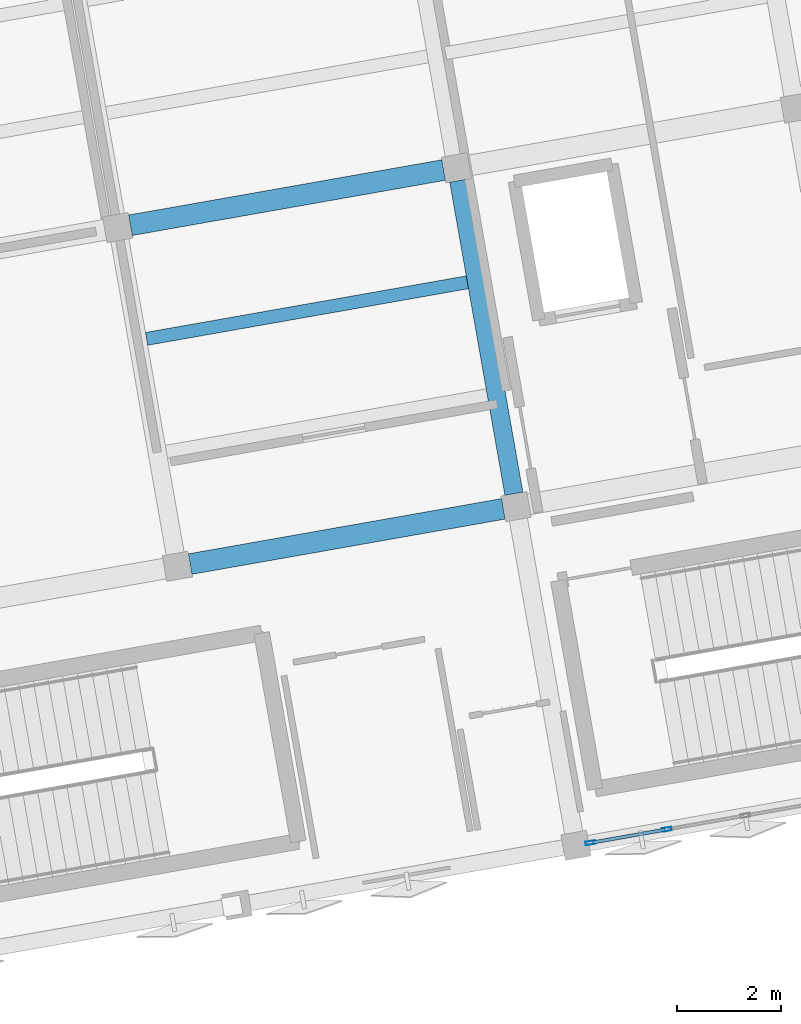
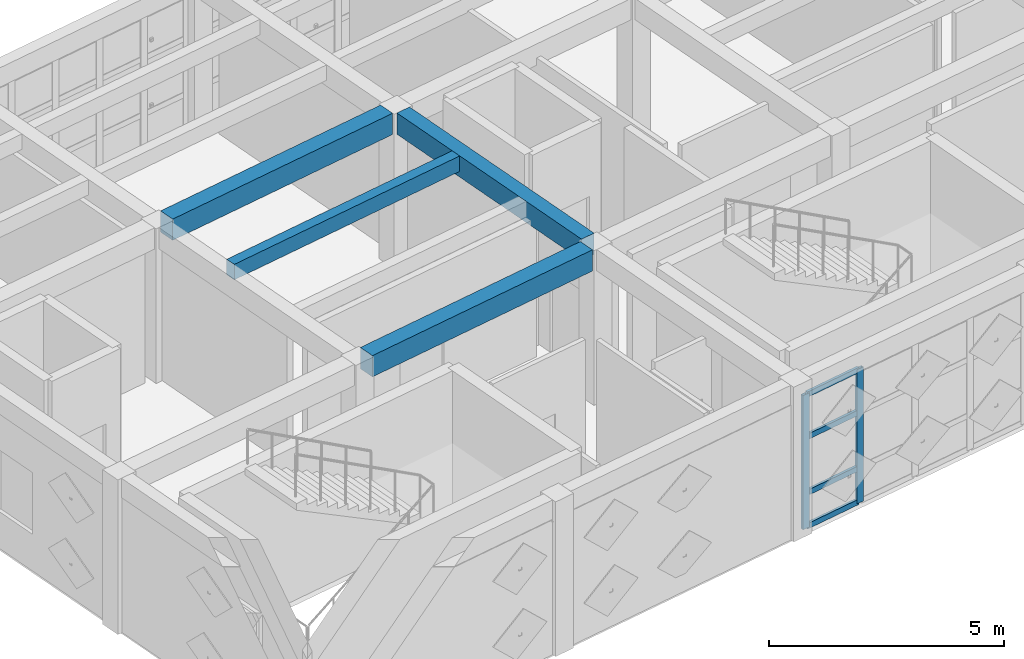
# One storey, part 3 of 15: 6 members, 4 beams, 1 element without a shape of its own.
"""IFC4 building model written with IfcOpenShell, lengths in metres."""

import ifcopenshell
import ifcopenshell.guid

model = None  # the IFC model being written
_history = None  # IfcOwnerHistory: only IFC2X3 demands one
_inside = {}  # id of a spatial element -> (the spatial element, [elements in it])
_under = {}  # id of a project, library or spatial element -> (it, [spatial elements below it])
_declared = {}  # id of a project -> (the project, [libraries it declares])
_typed = {}  # id of a type object -> (the type object, [elements of that type])
_made_of = {}  # id of a material, layer set ... -> (it, [elements and type objects made of it])


def new_model(schema):
    """Start an empty IFC model of exactly this schema.

    Asked for "IFC4X3", IfcOpenShell would pick the latest addendum, in which some entities
    have other attributes; the version numbers below select the first issue.
    IFC2X3 requires an IfcOwnerHistory on every rooted entity: one is made here for all.
    """
    global model, _history
    if schema == "IFC4X3":
        model = ifcopenshell.file(schema_version=(4, 3, 0, 0))
    else:
        model = ifcopenshell.file(schema=schema)
    _inside.clear()
    _under.clear()
    _declared.clear()
    _typed.clear()
    _made_of.clear()
    _history = None
    if model.schema == "IFC2X3":
        org = make("IfcOrganization", Name="unknown")
        user = make(
            "IfcPersonAndOrganization",
            ThePerson=make("IfcPerson", FamilyName="unknown"),
            TheOrganization=org,
        )
        app = make(
            "IfcApplication",
            ApplicationDeveloper=org,
            Version="unknown",
            ApplicationFullName="unknown",
            ApplicationIdentifier="unknown",
        )
        _history = make(
            "IfcOwnerHistory",
            OwningUser=user,
            OwningApplication=app,
            ChangeAction="ADDED",
            CreationDate=0,
        )
    return model


def make(cls, **values):
    """One entity of the class cls with the attributes given. An attribute that is None is left unset."""
    return model.create_entity(
        cls, **{name: value for name, value in values.items() if value is not None}
    )


def rooted(cls, **values):
    """An entity with a GlobalId (a new one), such as an element, a storey or a relation."""
    return make(cls, GlobalId=ifcopenshell.guid.new(), OwnerHistory=_history, **values)


def si_unit(unit_type, name, prefix=None):
    """IfcSIUnit, for example si_unit("LENGTHUNIT", "METRE", prefix="MILLI")."""
    return make("IfcSIUnit", UnitType=unit_type, Prefix=prefix, Name=name)


def assignment(units):
    """IfcUnitAssignment: the units of a project."""
    return None if units is None else make("IfcUnitAssignment", Units=units)


def point(xyz):
    """IfcCartesianPoint."""
    return None if xyz is None else make("IfcCartesianPoint", Coordinates=xyz)


def direction(xyz):
    """IfcDirection."""
    return None if xyz is None else make("IfcDirection", DirectionRatios=xyz)


def frame(location, z_axis=None, x_axis=None):
    """IfcAxis2Placement3D, a coordinate frame: its origin and axes. An axis left out is left unset."""
    return make(
        "IfcAxis2Placement3D",
        Location=point(location),
        Axis=direction(z_axis),
        RefDirection=direction(x_axis),
    )


def frame_2d(location, x_axis=None):
    """IfcAxis2Placement2D, a coordinate frame in the plane: its origin and x axis."""
    return make(
        "IfcAxis2Placement2D", Location=point(location), RefDirection=direction(x_axis)
    )


def origin():
    """The frame at (0, 0, 0) with its axes left unset."""
    return frame((0.0, 0.0, 0.0))


def origin_2d():
    """The frame at (0, 0) in the plane with its x axis left unset."""
    return frame_2d((0.0, 0.0))


def place(relative_to, where):
    """IfcLocalPlacement: puts the frame where relative to a parent placement (None: the world)."""
    return make(
        "IfcLocalPlacement", PlacementRelTo=relative_to, RelativePlacement=where
    )


def context(
    kind, dimensions, precision=None, world=None, true_north=None, identifier=None
):
    """IfcGeometricRepresentationContext, for example the 3D "Model" context."""
    return make(
        "IfcGeometricRepresentationContext",
        ContextIdentifier=identifier,
        ContextType=kind,
        CoordinateSpaceDimension=dimensions,
        Precision=precision,
        WorldCoordinateSystem=world,
        TrueNorth=true_north,
    )


def subcontext(parent, identifier, kind, view, scale=None):
    """IfcGeometricRepresentationSubContext, for example "Body" below "Model"."""
    return make(
        "IfcGeometricRepresentationSubContext",
        ContextIdentifier=identifier,
        ContextType=kind,
        ParentContext=parent,
        TargetScale=scale,
        TargetView=view,
    )


def project(units=None, contexts=None):
    """IfcProject with its units and contexts."""
    return rooted(
        "IfcProject",
        Name="project",
        RepresentationContexts=contexts,
        UnitsInContext=assignment(units),
    )


def spatial(cls, under=None, at=None, **own):
    """A site, building, storey or space (cls), placed at a placement, below another one or the project."""
    s = rooted(cls, ObjectPlacement=at, **own)
    if under is not None:
        _under.setdefault(under.id(), (under, []))[1].append(s)
    return s


def profile(cls, at=None, kind="AREA", **sizes):
    """A parametric profile (cls). Its sizes go by their IFC names, for example OverallWidth=200.0."""
    return make(cls, ProfileType=kind, Position=at, **sizes)


def rectangle(**sizes):
    """IfcRectangleProfileDef."""
    return profile("IfcRectangleProfileDef", **sizes)


def hollow_rectangle(**sizes):
    """IfcRectangleHollowProfileDef."""
    return profile("IfcRectangleHollowProfileDef", **sizes)


def extrude(swept, where, along, depth):
    """IfcExtrudedAreaSolid: the profile swept, set in the frame where, extruded along a direction by depth."""
    return make(
        "IfcExtrudedAreaSolid",
        SweptArea=swept,
        Position=where,
        ExtrudedDirection=direction(along),
        Depth=depth,
    )


def shape(context_of_items, identifier, shape_type, items):
    """IfcShapeRepresentation: the items that make up one representation, for example the "Body"."""
    return make(
        "IfcShapeRepresentation",
        ContextOfItems=context_of_items,
        RepresentationIdentifier=identifier,
        RepresentationType=shape_type,
        Items=items,
    )


def material(Name=None, Category=None):
    """IfcMaterial."""
    return make("IfcMaterial", Name=Name, Category=Category)


def layer(
    of_material, thickness, ventilated=None, Name=None, Category=None, Priority=None
):
    """IfcMaterialLayer: one layer of a wall or slab, of a material (None: an air gap)."""
    return make(
        "IfcMaterialLayer",
        Material=of_material,
        LayerThickness=thickness,
        IsVentilated=ventilated,
        Name=Name,
        Category=Category,
        Priority=Priority,
    )


def layer_set(layers, Name=None):
    """IfcMaterialLayerSet."""
    return make("IfcMaterialLayerSet", MaterialLayers=layers, LayerSetName=Name)


def material_profile(
    of_material, cross_section, Name=None, Category=None, Priority=None
):
    """IfcMaterialProfile: a cross section and its material."""
    return make(
        "IfcMaterialProfile",
        Name=Name,
        Material=of_material,
        Profile=cross_section,
        Priority=Priority,
        Category=Category,
    )


def profile_set(profiles, Name=None, composite=None):
    """IfcMaterialProfileSet."""
    return make(
        "IfcMaterialProfileSet",
        Name=Name,
        MaterialProfiles=profiles,
        CompositeProfile=composite,
    )


def made_of(thing, what):
    """Note that an element or type object is made of a material, layer set ...; save() writes the relation."""
    if what is not None:
        _made_of.setdefault(what.id(), (what, []))[1].append(thing)
    return thing


def type_object(cls, material=None, **own):
    """A type object (cls), such as IfcWallType, which elements share."""
    return made_of(rooted(cls, **own), material)


def element(
    cls,
    number,
    at=None,
    inside=None,
    cuts=None,
    type_object=None,
    material=None,
    context=None,
    identifier="Body",
    shape_type=None,
    held_by="IfcProductDefinitionShape",
    body=None,
    shapes=None,
    **own,
):
    """One element of the class cls, such as IfcWall. Its Tag is "e" and its number.

    at: its placement. inside: the storey or other place that contains it. cuts: it is an
    opening in that element (IfcRelVoidsElement). A single representation is given by context,
    identifier, shape_type and body (its items); several are given by shapes. held_by: the class
    of the entity that holds the representations. save() writes the other relations.
    """
    e = rooted(cls, Tag="e%d" % number, ObjectPlacement=at, **own)
    if body is not None:
        shapes = [shape(context, identifier, shape_type, body)]
    if shapes is not None:
        e.Representation = make(held_by, Representations=shapes)
    if inside is not None:
        _inside.setdefault(inside.id(), (inside, []))[1].append(e)
    if cuts is not None:
        rooted(
            "IfcRelVoidsElement", RelatingBuildingElement=cuts, RelatedOpeningElement=e
        )
    if type_object is not None:
        _typed.setdefault(type_object.id(), (type_object, []))[1].append(e)
    return made_of(e, material)


def aggregate(whole, parts):
    """IfcRelAggregates: a whole, such as a stair, and the parts it consists of."""
    return rooted("IfcRelAggregates", RelatingObject=whole, RelatedObjects=parts)


def save(model, path):
    """Write the relations noted so far, then the file.

    IfcRelAggregates (storeys below a building ...), IfcRelContainedInSpatialStructure (elements
    in a storey), IfcRelDefinesByType, IfcRelAssociatesMaterial and IfcRelDeclares: one each for
    every whole, place, type object, material and project.
    """
    for whole, parts in _under.values():
        aggregate(whole, parts)
    for where, things in _inside.values():
        rooted(
            "IfcRelContainedInSpatialStructure",
            RelatedElements=things,
            RelatingStructure=where,
        )
    for kind, things in _typed.values():
        rooted("IfcRelDefinesByType", RelatedObjects=things, RelatingType=kind)
    for what, things in _made_of.values():
        rooted("IfcRelAssociatesMaterial", RelatedObjects=things, RelatingMaterial=what)
    for by, libraries in _declared.values():
        rooted("IfcRelDeclares", RelatingContext=by, RelatedDefinitions=libraries)
    model.write(path)


model = new_model("IFC4")

# Units and contexts
model_context = context("Model", 3, precision=1e-05, world=origin(), true_north=direction((0.0, 1.0)))
body_context = subcontext(model_context, "Body", "Model", "MODEL_VIEW")
ifc_project = project(units=[si_unit("LENGTHUNIT", "METRE"), si_unit("AREAUNIT", "SQUARE_METRE"), si_unit("VOLUMEUNIT", "CUBIC_METRE"), si_unit("PLANEANGLEUNIT", "RADIAN"), si_unit("MASSUNIT", "GRAM", prefix="KILO")], contexts=[model_context])

# Site, building, storey
site_placement = place(None, origin())
site = spatial("IfcSite", under=ifc_project, at=site_placement, CompositionType="ELEMENT")
building_placement = place(site_placement, origin())
building = spatial("IfcBuilding", under=site, at=building_placement, Name="Kharisveld Research Institute", CompositionType="ELEMENT")
storey_placement = place(building_placement, frame((0.0, 0.0, 40.800048828125)))
storey = spatial("IfcBuildingStorey", under=building, at=storey_placement, Name="L09", CompositionType="ELEMENT", Elevation=40.800048828125)

# Beams
ifc_material_1 = material(Name="Concrete C40/50", Category="concrete")
ifc_material_profile_1 = material_profile(ifc_material_1, rectangle(XDim=0.35009765625, YDim=0.550048828125, at=origin_2d()))
ifc_profile_set_1 = profile_set([ifc_material_profile_1], Name="Concrete C40/50")
beam_type_1 = type_object("IfcBeamType", Name="BM_RC_350x550", PredefinedType="BEAM", material=ifc_profile_set_1)
beam_1_placement = place(storey_placement, frame((17.010009765625, 44.048095703125, 3.73486328125), z_axis=(-0.173659757005, 0.984805711192, 0.0), x_axis=(-0.984805711192, -0.173659757005, 0.0)))
element("IfcBeam", 1, at=beam_1_placement, inside=storey, type_object=beam_type_1, Name="BM:V1:L09:V2_1", PredefinedType="BEAM", context=body_context, shape_type="SweptSolid", body=[
    extrude(rectangle(XDim=0.35009765625, YDim=0.550048828125, at=origin_2d()), origin(), (0.0, 0.0, 1.0), 6.10009765625),
])
ifc_material_2 = material(Name="Concrete C40/50", Category="concrete")
ifc_material_profile_2 = material_profile(ifc_material_2, rectangle(XDim=0.39990234375, YDim=0.550048828125, at=origin_2d()))
ifc_profile_set_2 = profile_set([ifc_material_profile_2], Name="Concrete C40/50")
beam_type_2 = type_object("IfcBeamType", Name="BM_RC_400x550", PredefinedType="BEAM", material=ifc_profile_set_2)
for number, where, z_axis, x_axis, name in (
    (2, (10.7998046875, 42.69921875, 3.73486328125), (0.984805711192, 0.173659757005, 0.0), (-0.173659757005, 0.984805711192, 0.0), "BM:V1:L09:U1_1"),
    (3, (9.65380859375, 49.198974609375, 3.73486328125), (0.984805711192, 0.173659757005, 0.0), (-0.173659757005, 0.984805711192, 0.0), "BM:V1:L09:U1_2"),
):
    element("IfcBeam", number, at=place(storey_placement, frame(where, z_axis=z_axis, x_axis=x_axis)), inside=storey, type_object=beam_type_2, Name=name, PredefinedType="BEAM", context=body_context, shape_type="SweptSolid", body=[
        extrude(rectangle(XDim=0.39990234375, YDim=0.550048828125, at=origin_2d()), origin(), (0.0, 0.0, 1.0), 6.10009765625),
    ])

# Curtain wall, members
ifc_material_3 = material(Name="Thermally Broken Aluminium Curtain Wall", Category="aluminium")
ifc_layer = layer(ifc_material_3, 0.159912109375)
ifc_layer_set = layer_set([ifc_layer], Name="CW_SYS_04")
curtain_wall_type = type_object("IfcCurtainWallType", Name="CW_SYS_04", PredefinedType="NOTDEFINED", material=ifc_layer_set)
curtain_wall_placement = place(storey_placement, origin())
curtain_wall = element("IfcCurtainWall", 4, at=curtain_wall_placement, inside=storey, type_object=curtain_wall_type, Name="CW:V1:L09:S3", PredefinedType="NOTDEFINED")
ifc_material_4 = material(Name="Anodised Aluminium AW-6063-T6", Category="aluminium")
ifc_material_profile_3 = material_profile(ifc_material_4, hollow_rectangle(XDim=0.070068359375, YDim=0.179931640625, WallThickness=0.00439453125, at=origin_2d()))
ifc_profile_set_3 = profile_set([ifc_material_profile_3], Name="Anodised Aluminium AW-6063-T6")
member_type_1 = type_object("IfcMemberType", Name="CW_MUL_180", PredefinedType="MULLION", material=ifc_profile_set_3)
member_1_placement = place(storey_placement, frame((19.945068359375, 37.60986328125, 0.0), z_axis=(0.0, 0.0, 1.0), x_axis=(0.173648102039, -0.984807766347, 0.0)))
member_1 = element("IfcMember", 5, at=member_1_placement, type_object=member_type_1, Name="CW-04 mullion 4", PredefinedType="MULLION", context=body_context, shape_type="SweptSolid", body=[
    extrude(hollow_rectangle(XDim=0.070068359375, YDim=0.179931640625, WallThickness=0.00439453125, at=origin_2d()), origin(), (0.0, 0.0, 1.0), 3.47998046875),
])
member_2_placement = place(storey_placement, frame((18.47509765625, 37.350830078125, 0.0), z_axis=(0.0, 0.0, 1.0), x_axis=(0.173648102039, -0.984807766347, 0.0)))
member_2 = element("IfcMember", 6, at=member_2_placement, type_object=member_type_1, Name="CW-04 mullion 5", PredefinedType="MULLION", context=body_context, shape_type="SweptSolid", body=[
    extrude(hollow_rectangle(XDim=0.070068359375, YDim=0.179931640625, WallThickness=0.00439453125, at=origin_2d()), origin(), (0.0, 0.0, 1.0), 3.47998046875),
])
ifc_material_5 = material(Name="Anodised Aluminium AW-6063-T6", Category="aluminium")
ifc_material_profile_4 = material_profile(ifc_material_5, hollow_rectangle(XDim=0.06494140625, YDim=0.139892578125, WallThickness=0.00390625, at=origin_2d()))
ifc_profile_set_4 = profile_set([ifc_material_profile_4], Name="Anodised Aluminium AW-6063-T6")
member_type_2 = type_object("IfcMemberType", Name="CW_TRN_140", PredefinedType="USERDEFINED", material=ifc_profile_set_4)
member_3_placement = place(storey_placement, frame((19.91064453125, 37.603759765625, 0.032470703125), z_axis=(-0.984830175258, -0.173520966746, 0.0), x_axis=(0.173520966746, -0.984830175258, 0.0)))
member_3 = element("IfcMember", 7, at=member_3_placement, type_object=member_type_2, Name="CW-04 transom 4.1", ObjectType="TRANSOM", PredefinedType="USERDEFINED", context=body_context, shape_type="SweptSolid", body=[
    extrude(hollow_rectangle(XDim=0.06494140625, YDim=0.139892578125, WallThickness=0.00390625, at=origin_2d()), origin(), (0.0, 0.0, 1.0), 1.42236328125),
])
member_4_placement = place(storey_placement, frame((19.91064453125, 37.603759765625, 0.89990234375), z_axis=(-0.984830175258, -0.173520966746, 0.0), x_axis=(0.173520966746, -0.984830175258, 0.0)))
member_4 = element("IfcMember", 8, at=member_4_placement, type_object=member_type_2, Name="CW-04 transom 4.2", ObjectType="TRANSOM", PredefinedType="USERDEFINED", context=body_context, shape_type="SweptSolid", body=[
    extrude(hollow_rectangle(XDim=0.06494140625, YDim=0.139892578125, WallThickness=0.00390625, at=origin_2d()), origin(), (0.0, 0.0, 1.0), 1.42236328125),
])
member_5_placement = place(storey_placement, frame((19.91064453125, 37.603759765625, 2.349853515625), z_axis=(-0.984830175258, -0.173520966746, 0.0), x_axis=(0.173520966746, -0.984830175258, 0.0)))
member_5 = element("IfcMember", 9, at=member_5_placement, type_object=member_type_2, Name="CW-04 transom 4.3", ObjectType="TRANSOM", PredefinedType="USERDEFINED", context=body_context, shape_type="SweptSolid", body=[
    extrude(hollow_rectangle(XDim=0.06494140625, YDim=0.139892578125, WallThickness=0.00390625, at=origin_2d()), origin(), (0.0, 0.0, 1.0), 1.42236328125),
])
member_6_placement = place(storey_placement, frame((19.91064453125, 37.603759765625, 3.447509765625), z_axis=(-0.984830175258, -0.173520966746, 0.0), x_axis=(0.173520966746, -0.984830175258, 0.0)))
member_6 = element("IfcMember", 10, at=member_6_placement, type_object=member_type_2, Name="CW-04 transom 4.4", ObjectType="TRANSOM", PredefinedType="USERDEFINED", context=body_context, shape_type="SweptSolid", body=[
    extrude(hollow_rectangle(XDim=0.06494140625, YDim=0.139892578125, WallThickness=0.00390625, at=origin_2d()), origin(), (0.0, 0.0, 1.0), 1.42236328125),
])
aggregate(curtain_wall, [member_1, member_2, member_3, member_4, member_5, member_6])

# Beam
ifc_material_6 = material(Name="Concrete C40/50", Category="concrete")
ifc_material_profile_5 = material_profile(ifc_material_6, rectangle(XDim=0.25, YDim=0.39990234375, at=origin_2d()))
ifc_profile_set_5 = profile_set([ifc_material_profile_5], Name="Concrete C40/50")
beam_type_3 = type_object("IfcBeamType", Name="WB_RC_250x400", PredefinedType="JOIST", material=ifc_profile_set_5)
beam_2_placement = place(storey_placement, frame((9.9619140625, 47.019287109375, 3.81005859375), z_axis=(0.984803607817, 0.173671684596, 0.0), x_axis=(-0.173671684596, 0.984803607817, 0.0)))
element("IfcBeam", 11, at=beam_2_placement, inside=storey, type_object=beam_type_3, Name="BM:V1:L09:J_1_1_R2", PredefinedType="JOIST", context=body_context, shape_type="SweptSolid", body=[
    extrude(rectangle(XDim=0.25, YDim=0.39990234375, at=origin_2d()), origin(), (0.0, 0.0, 1.0), 6.25),
])

save(model, "model.ifc")
